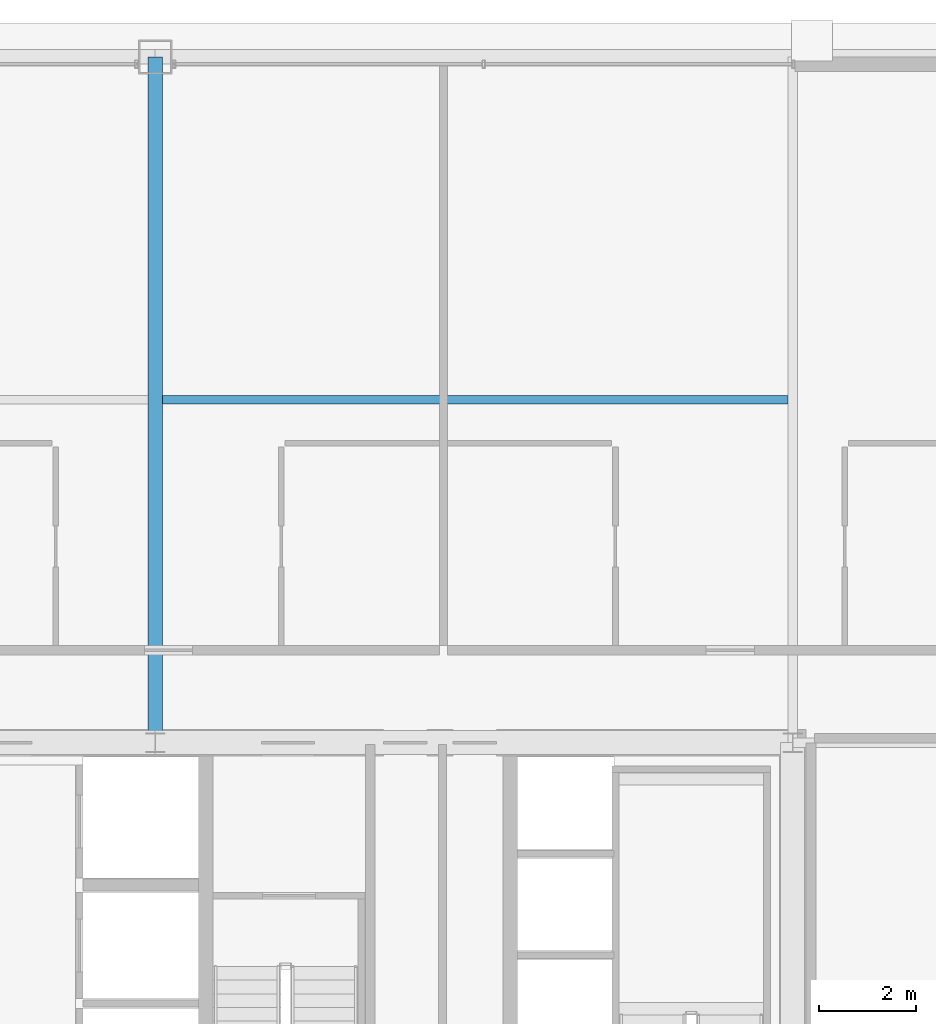
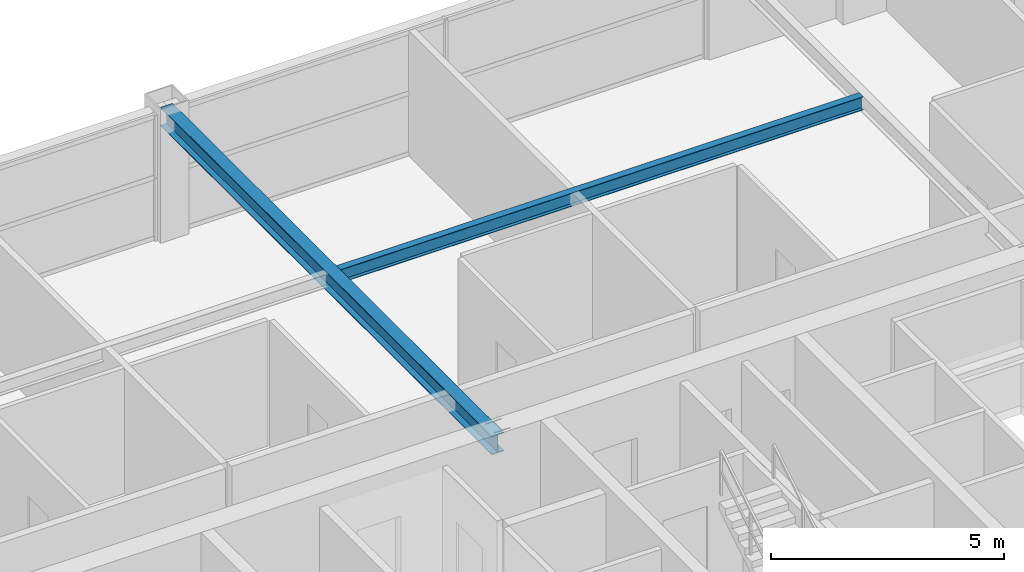
# One storey, part 27 of 36: 2 beams.
"""IFC4 building model written with IfcOpenShell, lengths in metres."""

from ifc_helpers import new_model, si_unit, direction, frame, origin, origin_2d, place, context, subcontext, project, spatial, i_section, extrude, source, transform, mapped, material, material_profile, profile_set, type_object, element, save


model = new_model("IFC4")

# Units and contexts
model_context = context("Model", 3, precision=1e-05, world=origin(), true_north=direction((0.0, 1.0)))
body_context = subcontext(model_context, "Body", "Model", "MODEL_VIEW")
ifc_project = project(units=[si_unit("LENGTHUNIT", "METRE"), si_unit("AREAUNIT", "SQUARE_METRE"), si_unit("VOLUMEUNIT", "CUBIC_METRE"), si_unit("PLANEANGLEUNIT", "RADIAN"), si_unit("MASSUNIT", "GRAM", prefix="KILO"), si_unit("THERMODYNAMICTEMPERATUREUNIT", "KELVIN"), si_unit("POWERUNIT", "WATT")], contexts=[model_context])

# Site, building, storey
site_placement = place(None, origin())
site = spatial("IfcSite", under=ifc_project, at=site_placement, CompositionType="ELEMENT")
building_placement = place(site_placement, origin())
building = spatial("IfcBuilding", under=site, at=building_placement, Name="Yuzanri Waterfront Tower", CompositionType="ELEMENT")
storey_placement = place(building_placement, frame((0.0, 0.0, 238.10009765625)))
storey = spatial("IfcBuildingStorey", under=building, at=storey_placement, Name="L63", CompositionType="ELEMENT", Elevation=238.10009765625)

# Beams
ifc_material_1 = material(Name="Steel Q355B", Category="steel")
ifc_material_profile_1 = material_profile(ifc_material_1, i_section(OverallWidth=0.300048828125, OverallDepth=0.488037109375, WebThickness=0.010986328125, FlangeThickness=0.01806640625, at=origin_2d()), Name="HM 488x300x11x18")
ifc_profile_set_1 = profile_set([ifc_material_profile_1], Name="Steel Q355B")
beam_type_1 = type_object("IfcBeamType", Name="Primary Floor Girder Q355B HM 488x300", PredefinedType="BEAM", material=ifc_profile_set_1)
shared_shape_1 = source(origin(), body_context, "Body", "SweptSolid", [
    extrude(i_section(OverallWidth=0.300048828125, OverallDepth=0.488037109375, WebThickness=0.010986328125, FlangeThickness=0.01806640625, at=origin_2d()), origin(), (0.0, 0.0, 1.0), 14.199951171875),
])
beam_1_placement = place(storey_placement, frame((37.0, 32.199951171875, 3.035888671875), z_axis=(0.0, 1.0, 0.0), x_axis=(-1.0, 0.0, 0.0)))
element("IfcBeam", 1, at=beam_1_placement, inside=storey, type_object=beam_type_1, Name="L63 North Grid Girder", PredefinedType="BEAM", context=body_context, shape_type="MappedRepresentation", body=[
    mapped(shared_shape_1, transform((0.0, 0.0, 0.0), scale=1.0)),
])
ifc_material_2 = material(Name="Steel Q355B", Category="steel")
ifc_material_profile_2 = material_profile(ifc_material_2, i_section(OverallWidth=0.175048828125, OverallDepth=0.35009765625, WebThickness=0.007080078125, FlangeThickness=0.010986328125, at=origin_2d()), Name="HN 350x175x7x11")
ifc_profile_set_2 = profile_set([ifc_material_profile_2], Name="Steel Q355B")
beam_type_2 = type_object("IfcBeamType", Name="Floor Joist Q355B HN 350x175", PredefinedType="JOIST", material=ifc_profile_set_2)
shared_shape_2 = source(origin(), body_context, "Body", "SweptSolid", [
    extrude(i_section(OverallWidth=0.175048828125, OverallDepth=0.35009765625, WebThickness=0.007080078125, FlangeThickness=0.010986328125, at=origin_2d()), origin(), (0.0, 0.0, 1.0), 12.9501953125),
])
beam_2_placement = place(storey_placement, frame((37.14990234375, 39.300048828125, 3.10498046875), z_axis=(1.0, 0.0, 0.0), x_axis=(0.0, 1.0, 0.0)))
element("IfcBeam", 2, at=beam_2_placement, inside=storey, type_object=beam_type_2, Name="L63 North Bay Joist E", PredefinedType="JOIST", context=body_context, shape_type="MappedRepresentation", body=[
    mapped(shared_shape_2, transform((0.0, 0.0, 0.0), scale=1.0)),
])

save(model, "model.ifc")
